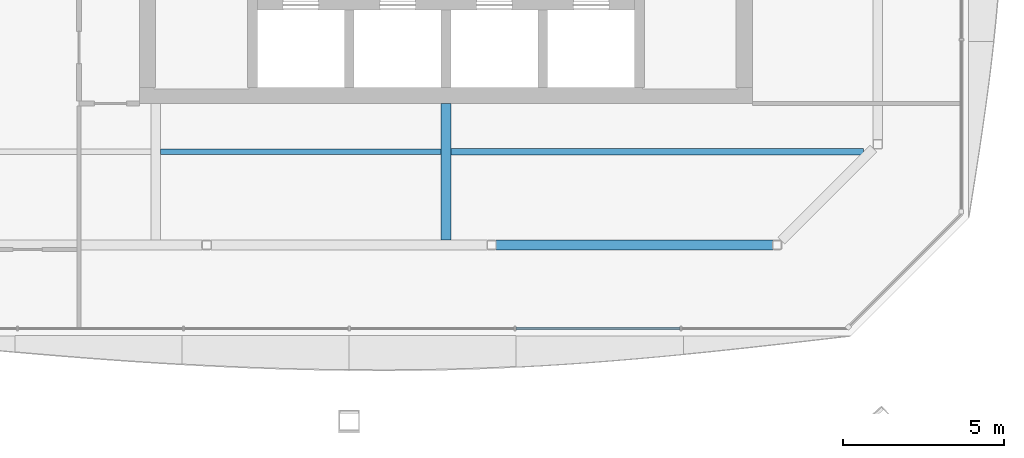
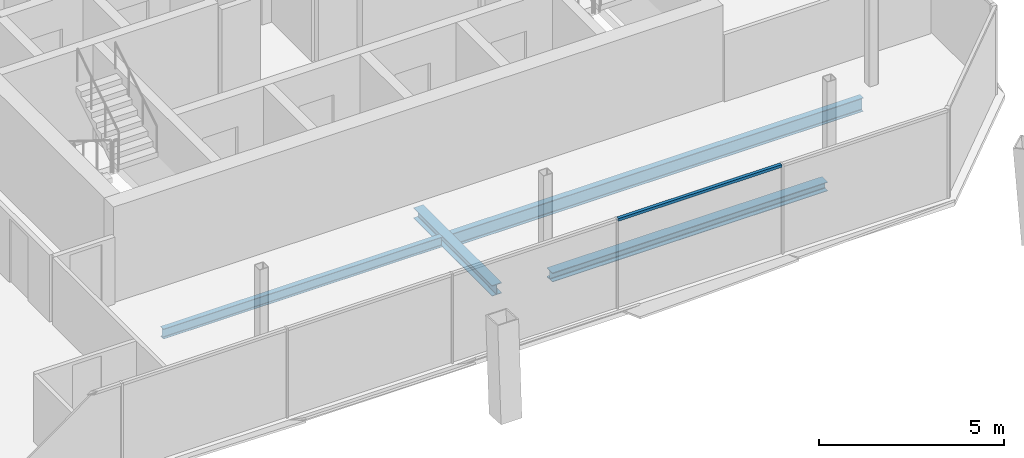
# One storey, part 5 of 18: 4 beams, 1 member, 1 element without a shape of its own.
"""IFC4 building model written with IfcOpenShell, lengths in metres."""

from ifc_helpers import new_model, si_unit, direction, frame, origin, origin_2d, place, context, subcontext, project, spatial, rectangle, i_section, extrude, material, material_profile, profile_set, type_object, element, aggregate, save


model = new_model("IFC4")

# Units and contexts
model_context = context("Model", 3, precision=1e-05, world=origin(), true_north=direction((0.0, 1.0)))
body_context = subcontext(model_context, "Body", "Model", "MODEL_VIEW")
ifc_project = project(units=[si_unit("LENGTHUNIT", "METRE"), si_unit("AREAUNIT", "SQUARE_METRE"), si_unit("VOLUMEUNIT", "CUBIC_METRE"), si_unit("PLANEANGLEUNIT", "RADIAN"), si_unit("MASSUNIT", "GRAM", prefix="KILO")], contexts=[model_context])

# Site, building, storey
site_placement = place(None, origin())
site = spatial("IfcSite", under=ifc_project, at=site_placement, CompositionType="ELEMENT")
building_placement = place(site_placement, origin())
building = spatial("IfcBuilding", under=site, at=building_placement, Name="Tskaro Facet Tower", CompositionType="ELEMENT")
storey_placement = place(building_placement, frame((0.0, 0.0, 220.35009765625)))
storey = spatial("IfcBuildingStorey", under=building, at=storey_placement, Name="L56", CompositionType="ELEMENT", Elevation=220.35009765625)

# Curtain wall, member
ifc_material_1 = material(Name="Bronze anodised aluminium 6063-T6", Category="aluminium")
curtain_wall_type = type_object("IfcCurtainWallType", Name="Bronze residence curtain wall (FW3)", PredefinedType="NOTDEFINED", material=ifc_material_1)
curtain_wall_placement = place(storey_placement, origin())
curtain_wall = element("IfcCurtainWall", 1, at=curtain_wall_placement, inside=storey, type_object=curtain_wall_type, Name="FW3 south facet L56", PredefinedType="NOTDEFINED")
ifc_material_profile_1 = material_profile(ifc_material_1, rectangle(XDim=0.10009765625, YDim=0.090087890625, at=origin_2d()), Name="Transom 100x90")
ifc_profile_set_1 = profile_set([ifc_material_profile_1], Name="Bronze anodised aluminium 6063-T6")
member_type = type_object("IfcMemberType", Name="FW3 bronze transom 100x90", PredefinedType="USERDEFINED", material=ifc_profile_set_1)
member_placement = place(storey_placement, frame((2.169921875, -18.985107421875, 2.90478515625), z_axis=(1.0, 0.0, 0.0), x_axis=(0.0, 1.0, 0.0)))
member = element("IfcMember", 2, at=member_placement, type_object=member_type, Name="FW3 south transom 5.1", ObjectType="TRANSOM", PredefinedType="USERDEFINED", context=body_context, shape_type="SweptSolid", body=[
    extrude(rectangle(XDim=0.10009765625, YDim=0.090087890625, at=origin_2d()), origin(), (0.0, 0.0, 1.0), 5.094970703125),
])
aggregate(curtain_wall, [member])

# Beams
ifc_material_2 = material(Name="Steel S355J2", Category="steel")
ifc_material_profile_2 = material_profile(ifc_material_2, i_section(OverallWidth=0.300048828125, OverallDepth=0.300048828125, WebThickness=0.010986328125, FlangeThickness=0.01904296875, FilletRadius=0.027099609375, at=origin_2d()), Name="HE 300 B")
ifc_profile_set_2 = profile_set([ifc_material_profile_2], Name="Steel S355J2")
beam_type_1 = type_object("IfcBeamType", Name="HE 300 B ring beam", PredefinedType="BEAM", material=ifc_profile_set_2)
beam_1_placement = place(storey_placement, frame((1.552978515625, -16.39111328125, -0.2900390625), z_axis=(1.0, 0.0, 0.0), x_axis=(0.0, 1.0, 0.0)))
element("IfcBeam", 3, at=beam_1_placement, inside=storey, type_object=beam_type_1, Name="HE 300 B EB3-5", PredefinedType="BEAM", context=body_context, shape_type="SweptSolid", body=[
    extrude(i_section(OverallWidth=0.300048828125, OverallDepth=0.300048828125, WebThickness=0.010986328125, FlangeThickness=0.01904296875, FilletRadius=0.027099609375, at=origin_2d()), origin(), (0.0, 0.0, 1.0), 8.5849609375),
])
ifc_material_profile_3 = material_profile(ifc_material_2, i_section(OverallWidth=0.300048828125, OverallDepth=0.35009765625, WebThickness=0.010009765625, FlangeThickness=0.017578125, FilletRadius=0.027099609375, at=origin_2d()), Name="HE 360 A")
ifc_profile_set_3 = profile_set([ifc_material_profile_3], Name="Steel S355J2")
beam_type_2 = type_object("IfcBeamType", Name="HE 360 A girder", PredefinedType="BEAM", material=ifc_profile_set_3)
beam_2_placement = place(storey_placement, frame((0.0, -16.240966796875, -0.315185546875), z_axis=(0.0, 1.0, 0.0), x_axis=(-1.0, 0.0, 0.0)))
element("IfcBeam", 4, at=beam_2_placement, inside=storey, type_object=beam_type_2, Name="HE 360 A GB4-1-5", PredefinedType="BEAM", context=body_context, shape_type="SweptSolid", body=[
    extrude(i_section(OverallWidth=0.300048828125, OverallDepth=0.35009765625, WebThickness=0.010009765625, FlangeThickness=0.017578125, FilletRadius=0.027099609375, at=origin_2d()), origin(), (0.0, 0.0, 1.0), 4.240966796875),
])
ifc_material_profile_4 = material_profile(ifc_material_2, i_section(OverallWidth=0.159912109375, OverallDepth=0.330078125, WebThickness=0.007568359375, FlangeThickness=0.011474609375, FilletRadius=0.01806640625, at=origin_2d()), Name="IPE 330")
ifc_profile_set_4 = profile_set([ifc_material_profile_4], Name="Steel S355J2")
beam_type_3 = type_object("IfcBeamType", Name="IPE 330 secondary beam", PredefinedType="BEAM", material=ifc_profile_set_4)
beam_3_placement = place(storey_placement, frame((-8.85009765625, -13.5, -0.30517578125), z_axis=(1.0, 0.0, 0.0), x_axis=(0.0, 1.0, 0.0)))
element("IfcBeam", 5, at=beam_3_placement, inside=storey, type_object=beam_type_3, Name="IPE 330 SB2a-2-5", PredefinedType="BEAM", context=body_context, shape_type="SweptSolid", body=[
    extrude(i_section(OverallWidth=0.159912109375, OverallDepth=0.330078125, WebThickness=0.007568359375, FlangeThickness=0.011474609375, FilletRadius=0.01806640625, at=origin_2d()), origin(), (0.0, 0.0, 1.0), 8.7001953125),
])
ifc_material_profile_5 = material_profile(ifc_material_2, i_section(OverallWidth=0.18994140625, OverallDepth=0.449951171875, WebThickness=0.009521484375, FlangeThickness=0.0146484375, FilletRadius=0.02099609375, at=origin_2d()), Name="IPE 450")
ifc_profile_set_5 = profile_set([ifc_material_profile_5], Name="Steel S355J2")
beam_type_4 = type_object("IfcBeamType", Name="IPE 450 long secondary beam", PredefinedType="BEAM", material=ifc_profile_set_5)
beam_4_placement = place(storey_placement, frame((0.14990234375, -13.5, -0.364990234375), z_axis=(1.0, 0.0, 0.0), x_axis=(0.0, 1.0, 0.0)))
element("IfcBeam", 6, at=beam_4_placement, inside=storey, type_object=beam_type_4, Name="IPE 450 LSB2a-3-5", PredefinedType="BEAM", context=body_context, shape_type="SweptSolid", body=[
    extrude(i_section(OverallWidth=0.18994140625, OverallDepth=0.449951171875, WebThickness=0.009521484375, FlangeThickness=0.0146484375, FilletRadius=0.02099609375, at=origin_2d()), origin(), (0.0, 0.0, 1.0), 12.797119140625),
])

save(model, "model.ifc")
